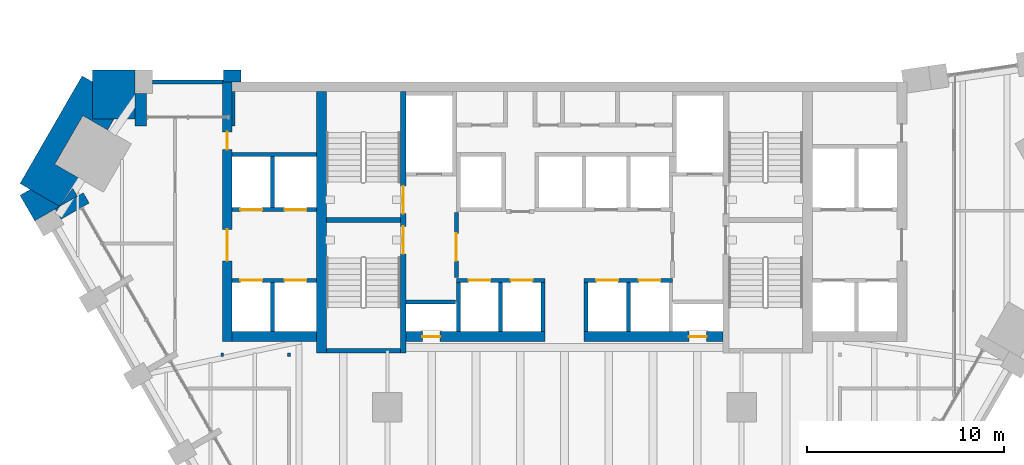
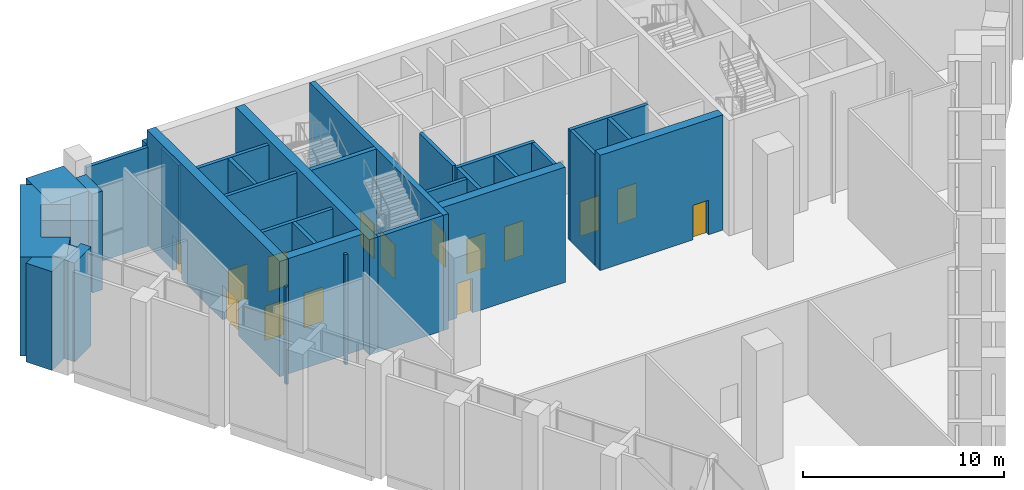
# One storey, part 12 of 17: 33 walls, 15 doors, 15 openings.
"""IFC4 building model written with IfcOpenShell, lengths in metres."""

from ifc_helpers import new_model, si_unit, direction, frame, frame_2d, origin, place, context, subcontext, project, spatial, polyline, rectangle, outline, extrude, material, layer, layer_set, type_object, element, fill, save


model = new_model("IFC4")

# Units and contexts
model_context = context("Model", 3, precision=1e-05, world=origin(), true_north=direction((0.0, 1.0)))
body_context = subcontext(model_context, "Body", "Model", "MODEL_VIEW")
ifc_project = project(units=[si_unit("LENGTHUNIT", "METRE"), si_unit("AREAUNIT", "SQUARE_METRE"), si_unit("VOLUMEUNIT", "CUBIC_METRE"), si_unit("PLANEANGLEUNIT", "RADIAN"), si_unit("MASSUNIT", "GRAM", prefix="KILO")], contexts=[model_context])

# Site, building, storey
site_placement = place(None, origin())
site = spatial("IfcSite", under=ifc_project, at=site_placement, CompositionType="ELEMENT")
building_placement = place(site_placement, origin())
building = spatial("IfcBuilding", under=site, at=building_placement, Name="Calabash Gate Tower", CompositionType="ELEMENT")
storey_placement = place(building_placement, frame((0.0, 0.0, 132.60009765625)))
storey = spatial("IfcBuildingStorey", under=building, at=storey_placement, Name="L31", CompositionType="ELEMENT", Elevation=132.60009765625)

# Walls
ifc_material_1 = material(Name="Terracotta brick masonry, exposed face", Category="masonry")
ifc_layer_1 = layer(ifc_material_1, 2.5)
ifc_layer_set_1 = layer_set([ifc_layer_1], Name="Brick corner mass wall 2500")
wall_type_1 = type_object("IfcWallType", Name="Brick corner mass wall 2500", PredefinedType="SOLIDWALL", material=ifc_layer_set_1)
wall_1_placement = place(storey_placement, origin())
element("IfcWall", 1, at=wall_1_placement, inside=storey, type_object=wall_type_1, Name="Brick corner pier L31 3a", PredefinedType="SOLIDWALL", context=body_context, shape_type="SweptSolid", body=[
    extrude(outline(polyline([(-24.00390625, 17.152587890625), (-21.846923828125, 17.152587890625), (-21.846923828125, 18.452880859375), (-21.846923828125, 18.452880859375), (-21.846923828125, 19.652587890625), (-24.00390625, 19.652587890625), (-24.00390625, 17.152587890625)])), origin(), (0.0, 0.0, 1.0), 6.0),
])
wall_2_placement = place(storey_placement, origin())
element("IfcWall", 2, at=wall_2_placement, inside=storey, type_object=wall_type_1, Name="Brick corner pier L31 3b", PredefinedType="SOLIDWALL", context=body_context, shape_type="SweptSolid", body=[
    extrude(outline(polyline([(-23.22509765625, 16.601318359375), (-22.906982421875, 17.152587890625), (-24.00390625, 17.152587890625), (-24.00390625, 19.052490234375), (-24.5234375, 19.3525390625), (-27.68212890625, 13.8818359375), (-25.6640625, 12.716796875), (-24.650146484375, 14.13330078125), (-25.90966796875, 14.8603515625), (-24.484619140625, 17.32861328125), (-23.22509765625, 16.601318359375)])), origin(), (0.0, 0.0, 1.0), 6.0),
])
wall_3_placement = place(storey_placement, origin())
element("IfcWall", 3, at=wall_3_placement, inside=storey, type_object=wall_type_1, Name="Brick corner pier L31 3ca", PredefinedType="SOLIDWALL", context=body_context, shape_type="SweptSolid", body=[
    extrude(outline(polyline([(-27.162353515625, 13.581787109375), (-27.68212890625, 13.28173828125), (-26.932861328125, 11.984130859375), (-25.6640625, 12.716796875), (-27.162353515625, 13.581787109375)])), origin(), (0.0, 0.0, 1.0), 6.0),
])
wall_4_placement = place(storey_placement, origin())
element("IfcWall", 4, at=wall_4_placement, inside=storey, type_object=wall_type_1, Name="Brick corner pier L31 3cb", PredefinedType="SOLIDWALL", context=body_context, shape_type="SweptSolid", body=[
    extrude(outline(polyline([(-24.767822265625, 13.234130859375), (-25.00244140625, 13.640869140625), (-25.6640625, 12.716796875), (-24.767822265625, 13.234130859375)])), origin(), (0.0, 0.0, 1.0), 6.0),
])
ifc_material_2 = material(Name="Terracotta brick masonry, exposed face", Category="masonry")
ifc_layer_2 = layer(ifc_material_2, 1.199951171875)
ifc_layer_set_2 = layer_set([ifc_layer_2], Name="Brick end wall 1200")
wall_type_2 = type_object("IfcWallType", Name="Brick end wall 1200", PredefinedType="SOLIDWALL", material=ifc_layer_set_2)
wall_5_placement = place(storey_placement, origin())
element("IfcWall", 5, at=wall_5_placement, inside=storey, type_object=wall_type_2, Name="Brick pier L31 N6.7", PredefinedType="SOLIDWALL", context=body_context, shape_type="SweptSolid", body=[
    extrude(outline(polyline([(-16.447021484375, 19.052490234375), (-16.447021484375, 19.652587890625), (-17.346923828125, 19.652587890625), (-17.346923828125, 19.052490234375), (-16.447021484375, 19.052490234375)])), origin(), (0.0, 0.0, 1.0), 6.0),
])
ifc_material_3 = material(Name="Terracotta brick masonry, exposed face", Category="masonry")
ifc_layer_3 = layer(ifc_material_3, 0.300048828125)
ifc_layer_set_3 = layer_set([ifc_layer_3], Name="Brick loggia cheek wall 300")
wall_type_3 = type_object("IfcWallType", Name="Brick loggia cheek wall 300", PredefinedType="SOLIDWALL", material=ifc_layer_set_3)
wall_6_placement = place(storey_placement, frame((-25.74365234375, 12.32421875, 0.0), z_axis=(0.0, 0.0, 1.0), x_axis=(0.865976140824, 0.500085316245, 0.0)))
element("IfcWall", 6, at=wall_6_placement, inside=storey, type_object=wall_type_3, Name="Loggia cheek L31 SW0.0", PredefinedType="SOLIDWALL", context=body_context, shape_type="SweptSolid", body=[
    extrude(rectangle(XDim=1.650146484375, YDim=0.60009765625, at=frame_2d((0.8251953125, 0.0))), origin(), (0.0, 0.0, 1.0), 6.0),
])
wall_7_placement = place(storey_placement, origin())
element("IfcWall", 7, at=wall_7_placement, inside=storey, type_object=wall_type_3, Name="Loggia cheek L31 N6.7", PredefinedType="SOLIDWALL", context=body_context, shape_type="SweptSolid", body=[
    extrude(outline(polyline([(-16.89990234375, 18.5546875), (-16.746826171875, 18.5546875), (-16.746826171875, 16.802490234375), (-16.89990234375, 16.802490234375), (-16.89990234375, 18.5546875)])), origin(), (0.0, 0.0, 1.0), 6.0),
])
wall_8_placement = place(storey_placement, origin())
element("IfcWall", 8, at=wall_8_placement, inside=storey, type_object=wall_type_3, Name="Loggia cheek L31 N6.8", PredefinedType="SOLIDWALL", context=body_context, shape_type="SweptSolid", body=[
    extrude(outline(polyline([(-21.846923828125, 18.45263671875), (-21.846923828125, 16.802490234375), (-21.246826171875, 16.802490234375), (-21.246826171875, 18.45263671875), (-21.846923828125, 18.45263671875)])), origin(), (0.0, 0.0, 1.0), 6.0),
])
ifc_material_4 = material(Name="Concrete C80/95", Category="concrete")
ifc_layer_4 = layer(ifc_material_4, 0.25)
ifc_layer_set_4 = layer_set([ifc_layer_4], Name="Core wall 250 Concrete C80/95")
wall_type_4 = type_object("IfcWallType", Name="Core wall 250 Concrete C80/95", PredefinedType="SHEAR", material=ifc_layer_set_4)
for number, where, z_axis, x_axis, name in (
    (9, (-12.10009765625, 12.027587890625, 0.0), (0.0, 0.0, 1.0), (1.0, 0.0, 0.0), "Core wall Z2-MIDW L31"),
    (10, (-12.10009765625, 5.377685546875, 0.0), (0.0, 0.0, 1.0), (1.0, 0.0, 0.0), "Core wall Z2-SSW L31"),
):
    element("IfcWall", number, at=place(storey_placement, frame(where, z_axis=z_axis, x_axis=x_axis)), inside=storey, type_object=wall_type_4, Name=name, PredefinedType="SHEAR", context=body_context, shape_type="SweptSolid", body=[
        extrude(rectangle(XDim=3.75, YDim=0.25, at=frame_2d((1.875, 0.0))), origin(), (0.0, 0.0, 1.0), 7.0),
    ])

# Wall, openings, doors
ifc_material_5 = material(Name="Concrete C80/95", Category="concrete")
ifc_layer_5 = layer(ifc_material_5, 0.300048828125)
ifc_layer_set_5 = layer_set([ifc_layer_5], Name="Core wall 300 Concrete C80/95")
wall_type_5 = type_object("IfcWallType", Name="Core wall 300 Concrete C80/95", PredefinedType="SHEAR", material=ifc_layer_set_5)
wall_9_placement = place(storey_placement, frame((-8.199951171875, 5.252685546875, 0.0), z_axis=(0.0, 0.0, 1.0), x_axis=(0.0, 1.0, 0.0)))
wall_9 = element("IfcWall", 11, at=wall_9_placement, inside=storey, type_object=wall_type_5, Name="Core wall Z2-PARTW L31", PredefinedType="SHEAR", context=body_context, shape_type="SweptSolid", body=[
    extrude(rectangle(XDim=13.2998046875, YDim=0.300048828125, at=frame_2d((6.64990234375, 0.0))), origin(), (0.0, 0.0, 1.0), 7.0),
])
opening_1_placement = place(wall_9_placement, frame((7.10009765625, 0.0, 0.0)))
opening_1 = element("IfcOpeningElement", 12, at=opening_1_placement, cuts=wall_9, Name="Opening L31-001", PredefinedType="OPENING", context=body_context, shape_type="SweptSolid", body=[
    extrude(rectangle(XDim=1.39990234375, YDim=2.10009765625, at=frame_2d((0.699951171875, 1.050048828125))), frame((0.0, 0.159912109375, 0.0), z_axis=(0.0, -1.0, 0.0), x_axis=(1.0, 0.0, 0.0)), (0.0, 0.0, 1.0), 0.320068359375),
])
opening_2_placement = place(wall_9_placement, frame((5.050048828125, 0.0, 0.0)))
opening_2 = element("IfcOpeningElement", 13, at=opening_2_placement, cuts=wall_9, Name="Opening L31-002", PredefinedType="OPENING", context=body_context, shape_type="SweptSolid", body=[
    extrude(rectangle(XDim=1.39990234375, YDim=2.10009765625, at=frame_2d((0.699951171875, 1.050048828125))), frame((0.0, 0.159912109375, 0.0), z_axis=(0.0, -1.0, 0.0), x_axis=(1.0, 0.0, 0.0)), (0.0, 0.0, 1.0), 0.320068359375),
])
ifc_material_6 = material(Name="Steel fire door set with fire-resisting glazing", Category="steel")
door_type_1 = type_object("IfcDoorType", Name="Fire door D05 1400x2100 FD90", OperationType="NOTDEFINED", PredefinedType="DOOR", material=ifc_material_6)
door_1_placement = place(opening_1_placement, origin())
door_1 = element("IfcDoor", 14, at=door_1_placement, inside=storey, type_object=door_type_1, Name="Exit stair door ST1", OperationType="SINGLE_SWING_LEFT", OverallHeight=2.10009765625, OverallWidth=1.39990234375, PredefinedType="DOOR", context=body_context, shape_type="SweptSolid", body=[
    extrude(rectangle(XDim=1.39990234375, YDim=2.10009765625, at=frame_2d((0.699951171875, 1.050048828125))), frame((0.0, 0.02490234375, 0.0), z_axis=(0.0, -1.0, 0.0), x_axis=(1.0, 0.0, 0.0)), (0.0, 0.0, 1.0), 0.050048828125),
])
fill(opening_1, door_1)
door_2_placement = place(opening_2_placement, origin())
door_2 = element("IfcDoor", 15, at=door_2_placement, inside=storey, type_object=door_type_1, Name="Exit stair door ST2", OperationType="SINGLE_SWING_LEFT", OverallHeight=2.10009765625, OverallWidth=1.39990234375, PredefinedType="DOOR", context=body_context, shape_type="SweptSolid", body=[
    extrude(rectangle(XDim=1.39990234375, YDim=2.10009765625, at=frame_2d((0.699951171875, 1.050048828125))), frame((0.0, 0.02490234375, 0.0), z_axis=(0.0, -1.0, 0.0), x_axis=(1.0, 0.0, 0.0)), (0.0, 0.0, 1.0), 0.050048828125),
])
fill(opening_2, door_2)

# Wall
ifc_material_7 = material(Name="Concrete C80/95", Category="concrete")
ifc_layer_6 = layer(ifc_material_7, 0.5)
ifc_layer_set_6 = layer_set([ifc_layer_6], Name="Core wall 500 Concrete C80/95")
wall_type_6 = type_object("IfcWallType", Name="Core wall 500 Concrete C80/95", PredefinedType="SHEAR", material=ifc_layer_set_6)
wall_10_placement = place(storey_placement, frame((-12.35009765625, 5.252685546875, 0.0), z_axis=(0.0, 0.0, 1.0), x_axis=(0.0, 1.0, 0.0)))
element("IfcWall", 16, at=wall_10_placement, inside=storey, type_object=wall_type_6, Name="Core wall Z2-COLW L31", PredefinedType="SHEAR", context=body_context, shape_type="SweptSolid", body=[
    extrude(rectangle(XDim=13.2998046875, YDim=0.5, at=frame_2d((6.64990234375, 0.0))), origin(), (0.0, 0.0, 1.0), 7.0),
])

# Wall, opening, door
wall_11_placement = place(storey_placement, frame((-8.050048828125, 6.1025390625, 0.0), z_axis=(0.0, 0.0, 1.0), x_axis=(1.0, 0.0, 0.0)))
wall_11 = element("IfcWall", 17, at=wall_11_placement, inside=storey, type_object=wall_type_6, Name="Core wall Z2-SA L31", PredefinedType="SHEAR", context=body_context, shape_type="SweptSolid", body=[
    extrude(rectangle(XDim=7.050048828125, YDim=0.5, at=frame_2d((3.52490234375, 0.0))), origin(), (0.0, 0.0, 1.0), 7.0),
])
opening_3_placement = place(wall_11_placement, frame((0.824951171875, 0.0, 0.0)))
opening_3 = element("IfcOpeningElement", 18, at=opening_3_placement, cuts=wall_11, Name="Opening L31-012", PredefinedType="OPENING", context=body_context, shape_type="SweptSolid", body=[
    extrude(rectangle(XDim=0.89990234375, YDim=2.10009765625, at=frame_2d((0.449951171875, 1.050048828125))), frame((0.0, 0.260009765625, 0.0), z_axis=(0.0, -1.0, 0.0), x_axis=(1.0, 0.0, 0.0)), (0.0, 0.0, 1.0), 0.52001953125),
])
ifc_material_8 = material(Name="Steel fire door set with fire-resisting glazing", Category="steel")
door_type_2 = type_object("IfcDoorType", Name="Fire door D07 900x2100 FD90", OperationType="NOTDEFINED", PredefinedType="DOOR", material=ifc_material_8)
door_3_placement = place(opening_3_placement, origin())
door_3 = element("IfcDoor", 19, at=door_3_placement, inside=storey, type_object=door_type_2, Name="Electrical Riser W door", OperationType="SINGLE_SWING_LEFT", OverallHeight=2.10009765625, OverallWidth=0.89990234375, PredefinedType="DOOR", context=body_context, shape_type="SweptSolid", body=[
    extrude(rectangle(XDim=0.89990234375, YDim=2.10009765625, at=frame_2d((0.449951171875, 1.050048828125))), frame((0.0, 0.02490234375, 0.0), z_axis=(0.0, -1.0, 0.0), x_axis=(1.0, 0.0, 0.0)), (0.0, 0.0, 1.0), 0.050048828125),
])
fill(opening_3, door_3)

wall_12_placement = place(storey_placement, frame((1.0, 6.1025390625, 0.0), z_axis=(0.0, 0.0, 1.0), x_axis=(1.0, 0.0, 0.0)))
wall_12 = element("IfcWall", 20, at=wall_12_placement, inside=storey, type_object=wall_type_6, Name="Core wall Z2-SB L31", PredefinedType="SHEAR", context=body_context, shape_type="SweptSolid", body=[
    extrude(rectangle(XDim=7.050048828125, YDim=0.5, at=frame_2d((3.52490234375, 0.0))), origin(), (0.0, 0.0, 1.0), 7.0),
])
opening_4_placement = place(wall_12_placement, frame((5.324951171875, 0.0, 0.0)))
opening_4 = element("IfcOpeningElement", 21, at=opening_4_placement, cuts=wall_12, Name="Opening L31-013", PredefinedType="OPENING", context=body_context, shape_type="SweptSolid", body=[
    extrude(rectangle(XDim=0.89990234375, YDim=2.10009765625, at=frame_2d((0.449951171875, 1.050048828125))), frame((0.0, 0.260009765625, 0.0), z_axis=(0.0, -1.0, 0.0), x_axis=(1.0, 0.0, 0.0)), (0.0, 0.0, 1.0), 0.52001953125),
])
door_4_placement = place(opening_4_placement, origin())
door_4 = element("IfcDoor", 22, at=door_4_placement, inside=storey, type_object=door_type_2, Name="Mechanical Riser E door", OperationType="SINGLE_SWING_RIGHT", OverallHeight=2.10009765625, OverallWidth=0.89990234375, PredefinedType="DOOR", context=body_context, shape_type="SweptSolid", body=[
    extrude(rectangle(XDim=0.89990234375, YDim=2.10009765625, at=frame_2d((0.449951171875, 1.050048828125))), frame((0.0, 0.02490234375, 0.0), z_axis=(0.0, -1.0, 0.0), x_axis=(1.0, 0.0, 0.0)), (0.0, 0.0, 1.0), 0.050048828125),
])
fill(opening_4, door_4)

# Wall
wall_13_placement = place(storey_placement, frame((-12.60009765625, 6.1025390625, 0.0), z_axis=(0.0, 0.0, 1.0), x_axis=(-1.0, 0.0, 0.0)))
element("IfcWall", 23, at=wall_13_placement, inside=storey, type_object=wall_type_6, Name="Core wall Z2-SW L31", PredefinedType="SHEAR", context=body_context, shape_type="SweptSolid", body=[
    extrude(rectangle(XDim=4.2998046875, YDim=0.5, at=frame_2d((2.14990234375, 0.0))), origin(), (0.0, 0.0, 1.0), 7.0),
])

# Wall, openings, doors
wall_14_placement = place(storey_placement, frame((-17.14990234375, 5.8525390625, 0.0), z_axis=(0.0, 0.0, 1.0), x_axis=(0.0, 1.0, 0.0)))
wall_14 = element("IfcWall", 24, at=wall_14_placement, inside=storey, type_object=wall_type_6, Name="Core wall Z2-ENDW L31", PredefinedType="SHEAR", context=body_context, shape_type="SweptSolid", body=[
    extrude(rectangle(XDim=13.199951171875, YDim=0.5, at=frame_2d((6.60009765625, 0.0))), origin(), (0.0, 0.0, 1.0), 7.0),
])
opening_5_placement = place(wall_14_placement, frame((4.10009765625, 0.0, 0.0)))
opening_5 = element("IfcOpeningElement", 25, at=opening_5_placement, cuts=wall_14, Name="Opening L31-014", PredefinedType="OPENING", context=body_context, shape_type="SweptSolid", body=[
    extrude(rectangle(XDim=1.60009765625, YDim=2.10009765625, at=frame_2d((0.800048828125, 1.050048828125))), frame((0.0, 0.260009765625, 0.0), z_axis=(0.0, -1.0, 0.0), x_axis=(1.0, 0.0, 0.0)), (0.0, 0.0, 1.0), 0.52001953125),
])
opening_6_placement = place(wall_14_placement, frame((9.75, 0.0, 0.0)))
opening_6 = element("IfcOpeningElement", 26, at=opening_6_placement, cuts=wall_14, Name="Opening L31-015", PredefinedType="OPENING", context=body_context, shape_type="SweptSolid", body=[
    extrude(rectangle(XDim=0.89990234375, YDim=2.10009765625, at=frame_2d((0.449951171875, 1.050048828125))), frame((0.0, 0.260009765625, 0.0), z_axis=(0.0, -1.0, 0.0), x_axis=(1.0, 0.0, 0.0)), (0.0, 0.0, 1.0), 0.52001953125),
])
ifc_material_9 = material(Name="Steel fire door set with fire-resisting glazing", Category="steel")
door_type_3 = type_object("IfcDoorType", Name="Double fire door D08 1600x2100 FD60", OperationType="DOUBLE_DOOR_SINGLE_SWING", PredefinedType="DOOR", material=ifc_material_9)
door_5_placement = place(opening_5_placement, origin())
door_5 = element("IfcDoor", 27, at=door_5_placement, inside=storey, type_object=door_type_3, Name="Low-rise Lift Lobby W door", OperationType="DOUBLE_DOOR_SINGLE_SWING", OverallHeight=2.10009765625, OverallWidth=1.60009765625, PredefinedType="DOOR", context=body_context, shape_type="SweptSolid", body=[
    extrude(rectangle(XDim=1.60009765625, YDim=2.10009765625, at=frame_2d((0.800048828125, 1.050048828125))), frame((0.0, 0.02490234375, 0.0), z_axis=(0.0, -1.0, 0.0), x_axis=(1.0, 0.0, 0.0)), (0.0, 0.0, 1.0), 0.050048828125),
])
fill(opening_5, door_5)
ifc_material_10 = material(Name="Steel fire door set with fire-resisting glazing", Category="steel")
door_type_4 = type_object("IfcDoorType", Name="Fire door D06 900x2100 FD60", OperationType="NOTDEFINED", PredefinedType="DOOR", material=ifc_material_10)
door_6_placement = place(opening_6_placement, origin())
door_6 = element("IfcDoor", 28, at=door_6_placement, inside=storey, type_object=door_type_4, Name="Meter Room door", OperationType="SINGLE_SWING_RIGHT", OverallHeight=2.10009765625, OverallWidth=0.89990234375, PredefinedType="DOOR", context=body_context, shape_type="SweptSolid", body=[
    extrude(rectangle(XDim=0.89990234375, YDim=2.10009765625, at=frame_2d((0.449951171875, 1.050048828125))), frame((0.0, 0.02490234375, 0.0), z_axis=(0.0, -1.0, 0.0), x_axis=(1.0, 0.0, 0.0)), (0.0, 0.0, 1.0), 0.050048828125),
])
fill(opening_6, door_6)

# Walls
ifc_material_11 = material(Name="Gypsum board on steel studs, mineral wool", Category="steel")
ifc_layer_7 = layer(ifc_material_11, 0.14990234375)
ifc_layer_set_7 = layer_set([ifc_layer_7], Name="Partition 150 gypsum board")
wall_type_7 = type_object("IfcWallType", Name="Partition 150 gypsum board", PredefinedType="PARTITIONING", material=ifc_layer_set_7)
wall_15_placement = place(storey_placement, frame((-17.39990234375, 5.09765625, 0.0), z_axis=(0.0, 0.0, 1.0), x_axis=(0.0, 1.0, 0.0)))
element("IfcWall", 29, at=wall_15_placement, inside=storey, type_object=wall_type_7, Name="Partition", PredefinedType="PARTITIONING", context=body_context, shape_type="SweptSolid", body=[
    extrude(rectangle(XDim=0.179931640625, YDim=0.14990234375, at=frame_2d((0.08984375, 0.0))), origin(), (0.0, 0.0, 1.0), 5.919921875),
])
wall_16_placement = place(storey_placement, frame((-14.0, 5.09765625, 0.0), z_axis=(0.0, 0.0, 1.0), x_axis=(0.0, 1.0, 0.0)))
element("IfcWall", 30, at=wall_16_placement, inside=storey, type_object=wall_type_7, Name="Partition", PredefinedType="PARTITIONING", context=body_context, shape_type="SweptSolid", body=[
    extrude(rectangle(XDim=0.179931640625, YDim=0.14990234375, at=frame_2d((0.08984375, 0.0))), origin(), (0.0, 0.0, 1.0), 6.699951171875),
])
ifc_material_12 = material(Name="Concrete C40/50", Category="concrete")
ifc_layer_8 = layer(ifc_material_12, 0.199951171875)
ifc_layer_set_8 = layer_set([ifc_layer_8], Name="Shaft wall 200 Concrete C40/50")
wall_type_8 = type_object("IfcWallType", Name="Shaft wall 200 Concrete C40/50", PredefinedType="SOLIDWALL", material=ifc_layer_set_8)
for number, where, z_axis, x_axis, name in (
    (31, (-14.85009765625, 6.3525390625, 0.0), (0.0, 0.0, 1.0), (0.0, 1.0, 0.0), "Shaft wall"),
    (32, (-5.39990234375, 6.3525390625, 0.0), (0.0, 0.0, 1.0), (0.0, 1.0, 0.0), "Shaft wall"),
    (33, (-3.25, 6.3525390625, 0.0), (0.0, 0.0, 1.0), (0.0, 1.0, 0.0), "Shaft wall"),
    (34, (-1.10009765625, 6.3525390625, 0.0), (0.0, 0.0, 1.0), (0.0, 1.0, 0.0), "Shaft wall"),
    (35, (1.10009765625, 6.3525390625, 0.0), (0.0, 0.0, 1.0), (0.0, 1.0, 0.0), "Shaft wall"),
    (36, (3.25, 6.3525390625, 0.0), (0.0, 0.0, 1.0), (0.0, 1.0, 0.0), "Shaft wall"),
    (37, (-8.050048828125, 7.8525390625, 0.0), (0.0, 0.0, 1.0), (1.0, 0.0, 0.0), "Shaft wall"),
):
    element("IfcWall", number, at=place(storey_placement, frame(where, z_axis=z_axis, x_axis=x_axis)), inside=storey, type_object=wall_type_8, Name=name, PredefinedType="SOLIDWALL", context=body_context, shape_type="SweptSolid", body=[
        extrude(rectangle(XDim=2.5, YDim=0.199951171875, at=frame_2d((1.25, 0.0))), origin(), (0.0, 0.0, 1.0), 6.699951171875),
    ])

# Wall, openings, doors
wall_17_placement = place(storey_placement, frame((-16.89990234375, 8.95263671875, 0.0), z_axis=(0.0, 0.0, 1.0), x_axis=(1.0, 0.0, 0.0)))
wall_17 = element("IfcWall", 38, at=wall_17_placement, inside=storey, type_object=wall_type_8, Name="Shaft wall", PredefinedType="SOLIDWALL", context=body_context, shape_type="SweptSolid", body=[
    extrude(rectangle(XDim=4.2998046875, YDim=0.199951171875, at=frame_2d((2.14990234375, 0.0))), origin(), (0.0, 0.0, 1.0), 6.699951171875),
])
opening_7_placement = place(wall_17_placement, frame((2.675048828125, 0.0, 0.0)))
opening_7 = element("IfcOpeningElement", 39, at=opening_7_placement, cuts=wall_17, Name="Opening LD-LR1", PredefinedType="OPENING", context=body_context, shape_type="SweptSolid", body=[
    extrude(rectangle(XDim=1.10009765625, YDim=2.10009765625, at=frame_2d((0.550048828125, 1.050048828125))), frame((0.0, 0.10986328125, 0.0), z_axis=(0.0, -1.0, 0.0), x_axis=(1.0, 0.0, 0.0)), (0.0, 0.0, 1.0), 0.219970703125),
])
opening_8_placement = place(wall_17_placement, frame((0.425048828125, 0.0, 0.0)))
opening_8 = element("IfcOpeningElement", 40, at=opening_8_placement, cuts=wall_17, Name="Opening LD-LR2", PredefinedType="OPENING", context=body_context, shape_type="SweptSolid", body=[
    extrude(rectangle(XDim=1.10009765625, YDim=2.10009765625, at=frame_2d((0.550048828125, 1.050048828125))), frame((0.0, 0.10986328125, 0.0), z_axis=(0.0, -1.0, 0.0), x_axis=(1.0, 0.0, 0.0)), (0.0, 0.0, 1.0), 0.219970703125),
])
ifc_material_13 = material(Name="Stainless steel sliding door leaves", Category="steel")
door_type_5 = type_object("IfcDoorType", Name="Lift landing door LS1 1100x2100 FD90", OperationType="DOUBLE_DOOR_SLIDING", PredefinedType="DOOR", material=ifc_material_13)
door_7_placement = place(opening_7_placement, origin())
door_7 = element("IfcDoor", 41, at=door_7_placement, inside=storey, type_object=door_type_5, Name="Lift landing door LR1", OperationType="DOUBLE_DOOR_SLIDING", OverallHeight=2.10009765625, OverallWidth=1.10009765625, PredefinedType="DOOR", context=body_context, shape_type="SweptSolid", body=[
    extrude(rectangle(XDim=1.10009765625, YDim=2.10009765625, at=frame_2d((0.550048828125, 1.050048828125))), frame((0.0, 0.02490234375, 0.0), z_axis=(0.0, -1.0, 0.0), x_axis=(1.0, 0.0, 0.0)), (0.0, 0.0, 1.0), 0.050048828125),
])
fill(opening_7, door_7)
door_8_placement = place(opening_8_placement, origin())
door_8 = element("IfcDoor", 42, at=door_8_placement, inside=storey, type_object=door_type_5, Name="Lift landing door LR2", OperationType="DOUBLE_DOOR_SLIDING", OverallHeight=2.10009765625, OverallWidth=1.10009765625, PredefinedType="DOOR", context=body_context, shape_type="SweptSolid", body=[
    extrude(rectangle(XDim=1.10009765625, YDim=2.10009765625, at=frame_2d((0.550048828125, 1.050048828125))), frame((0.0, 0.02490234375, 0.0), z_axis=(0.0, -1.0, 0.0), x_axis=(1.0, 0.0, 0.0)), (0.0, 0.0, 1.0), 0.050048828125),
])
fill(opening_8, door_8)

wall_18_placement = place(storey_placement, frame((-5.5, 8.95263671875, 0.0), z_axis=(0.0, 0.0, 1.0), x_axis=(1.0, 0.0, 0.0)))
wall_18 = element("IfcWall", 43, at=wall_18_placement, inside=storey, type_object=wall_type_8, Name="Shaft wall", PredefinedType="SOLIDWALL", context=body_context, shape_type="SweptSolid", body=[
    extrude(rectangle(XDim=4.5, YDim=0.199951171875, at=frame_2d((2.25, 0.0))), origin(), (0.0, 0.0, 1.0), 6.699951171875),
])
opening_9_placement = place(wall_18_placement, frame((0.625, 0.0, 0.0)))
opening_9 = element("IfcOpeningElement", 44, at=opening_9_placement, cuts=wall_18, Name="Opening LD-HR1", PredefinedType="OPENING", context=body_context, shape_type="SweptSolid", body=[
    extrude(rectangle(XDim=1.10009765625, YDim=2.10009765625, at=frame_2d((0.550048828125, 1.050048828125))), frame((0.0, 0.10986328125, 0.0), z_axis=(0.0, -1.0, 0.0), x_axis=(1.0, 0.0, 0.0)), (0.0, 0.0, 1.0), 0.219970703125),
])
opening_10_placement = place(wall_18_placement, frame((2.77490234375, 0.0, 0.0)))
opening_10 = element("IfcOpeningElement", 45, at=opening_10_placement, cuts=wall_18, Name="Opening LD-HR2", PredefinedType="OPENING", context=body_context, shape_type="SweptSolid", body=[
    extrude(rectangle(XDim=1.10009765625, YDim=2.10009765625, at=frame_2d((0.550048828125, 1.050048828125))), frame((0.0, 0.10986328125, 0.0), z_axis=(0.0, -1.0, 0.0), x_axis=(1.0, 0.0, 0.0)), (0.0, 0.0, 1.0), 0.219970703125),
])
door_9_placement = place(opening_9_placement, origin())
door_9 = element("IfcDoor", 46, at=door_9_placement, inside=storey, type_object=door_type_5, Name="Lift landing door HR1", OperationType="DOUBLE_DOOR_SLIDING", OverallHeight=2.10009765625, OverallWidth=1.10009765625, PredefinedType="DOOR", context=body_context, shape_type="SweptSolid", body=[
    extrude(rectangle(XDim=1.10009765625, YDim=2.10009765625, at=frame_2d((0.550048828125, 1.050048828125))), frame((0.0, 0.02490234375, 0.0), z_axis=(0.0, -1.0, 0.0), x_axis=(1.0, 0.0, 0.0)), (0.0, 0.0, 1.0), 0.050048828125),
])
fill(opening_9, door_9)
door_10_placement = place(opening_10_placement, origin())
door_10 = element("IfcDoor", 47, at=door_10_placement, inside=storey, type_object=door_type_5, Name="Lift landing door HR2", OperationType="DOUBLE_DOOR_SLIDING", OverallHeight=2.10009765625, OverallWidth=1.10009765625, PredefinedType="DOOR", context=body_context, shape_type="SweptSolid", body=[
    extrude(rectangle(XDim=1.10009765625, YDim=2.10009765625, at=frame_2d((0.550048828125, 1.050048828125))), frame((0.0, 0.02490234375, 0.0), z_axis=(0.0, -1.0, 0.0), x_axis=(1.0, 0.0, 0.0)), (0.0, 0.0, 1.0), 0.050048828125),
])
fill(opening_10, door_10)

wall_19_placement = place(storey_placement, frame((1.0, 8.95263671875, 0.0), z_axis=(0.0, 0.0, 1.0), x_axis=(1.0, 0.0, 0.0)))
wall_19 = element("IfcWall", 48, at=wall_19_placement, inside=storey, type_object=wall_type_8, Name="Shaft wall", PredefinedType="SOLIDWALL", context=body_context, shape_type="SweptSolid", body=[
    extrude(rectangle(XDim=4.5, YDim=0.199951171875, at=frame_2d((2.25, 0.0))), origin(), (0.0, 0.0, 1.0), 6.699951171875),
])
opening_11_placement = place(wall_19_placement, frame((0.625, 0.0, 0.0)))
opening_11 = element("IfcOpeningElement", 49, at=opening_11_placement, cuts=wall_19, Name="Opening LD-HR3", PredefinedType="OPENING", context=body_context, shape_type="SweptSolid", body=[
    extrude(rectangle(XDim=1.10009765625, YDim=2.10009765625, at=frame_2d((0.550048828125, 1.050048828125))), frame((0.0, 0.10986328125, 0.0), z_axis=(0.0, -1.0, 0.0), x_axis=(1.0, 0.0, 0.0)), (0.0, 0.0, 1.0), 0.219970703125),
])
opening_12_placement = place(wall_19_placement, frame((2.77490234375, 0.0, 0.0)))
opening_12 = element("IfcOpeningElement", 50, at=opening_12_placement, cuts=wall_19, Name="Opening LD-HR4", PredefinedType="OPENING", context=body_context, shape_type="SweptSolid", body=[
    extrude(rectangle(XDim=1.10009765625, YDim=2.10009765625, at=frame_2d((0.550048828125, 1.050048828125))), frame((0.0, 0.10986328125, 0.0), z_axis=(0.0, -1.0, 0.0), x_axis=(1.0, 0.0, 0.0)), (0.0, 0.0, 1.0), 0.219970703125),
])
door_11_placement = place(opening_11_placement, origin())
door_11 = element("IfcDoor", 51, at=door_11_placement, inside=storey, type_object=door_type_5, Name="Lift landing door HR3", OperationType="DOUBLE_DOOR_SLIDING", OverallHeight=2.10009765625, OverallWidth=1.10009765625, PredefinedType="DOOR", context=body_context, shape_type="SweptSolid", body=[
    extrude(rectangle(XDim=1.10009765625, YDim=2.10009765625, at=frame_2d((0.550048828125, 1.050048828125))), frame((0.0, 0.02490234375, 0.0), z_axis=(0.0, -1.0, 0.0), x_axis=(1.0, 0.0, 0.0)), (0.0, 0.0, 1.0), 0.050048828125),
])
fill(opening_11, door_11)
door_12_placement = place(opening_12_placement, origin())
door_12 = element("IfcDoor", 52, at=door_12_placement, inside=storey, type_object=door_type_5, Name="Lift landing door HR4", OperationType="DOUBLE_DOOR_SLIDING", OverallHeight=2.10009765625, OverallWidth=1.10009765625, PredefinedType="DOOR", context=body_context, shape_type="SweptSolid", body=[
    extrude(rectangle(XDim=1.10009765625, YDim=2.10009765625, at=frame_2d((0.550048828125, 1.050048828125))), frame((0.0, 0.02490234375, 0.0), z_axis=(0.0, -1.0, 0.0), x_axis=(1.0, 0.0, 0.0)), (0.0, 0.0, 1.0), 0.050048828125),
])
fill(opening_12, door_12)

# Wall, opening, door
wall_20_placement = place(storey_placement, frame((-5.5, 9.1025390625, 0.0), z_axis=(0.0, 0.0, 1.0), x_axis=(0.0, 1.0, 0.0)))
wall_20 = element("IfcWall", 53, at=wall_20_placement, inside=storey, type_object=wall_type_8, Name="Shaft wall", PredefinedType="SOLIDWALL", context=body_context, shape_type="SweptSolid", body=[
    extrude(rectangle(XDim=3.300048828125, YDim=0.199951171875, at=frame_2d((1.64990234375, 0.0))), origin(), (0.0, 0.0, 1.0), 6.699951171875),
])
opening_13_placement = place(wall_20_placement, frame((0.85009765625, 0.0, 0.0)))
opening_13 = element("IfcOpeningElement", 54, at=opening_13_placement, cuts=wall_20, Name="Opening L31-006", PredefinedType="OPENING", context=body_context, shape_type="SweptSolid", body=[
    extrude(rectangle(XDim=1.39990234375, YDim=2.10009765625, at=frame_2d((0.699951171875, 1.050048828125))), frame((0.0, 0.10986328125, 0.0), z_axis=(0.0, -1.0, 0.0), x_axis=(1.0, 0.0, 0.0)), (0.0, 0.0, 1.0), 0.219970703125),
])
door_13_placement = place(opening_13_placement, origin())
door_13 = element("IfcDoor", 55, at=door_13_placement, inside=storey, type_object=door_type_1, Name="Firefighting Lobby W door", OperationType="SINGLE_SWING_RIGHT", OverallHeight=2.10009765625, OverallWidth=1.39990234375, PredefinedType="DOOR", context=body_context, shape_type="SweptSolid", body=[
    extrude(rectangle(XDim=1.39990234375, YDim=2.10009765625, at=frame_2d((0.699951171875, 1.050048828125))), frame((0.0, 0.02490234375, 0.0), z_axis=(0.0, -1.0, 0.0), x_axis=(1.0, 0.0, 0.0)), (0.0, 0.0, 1.0), 0.050048828125),
])
fill(opening_13, door_13)

# Wall, openings, doors
wall_21_placement = place(storey_placement, frame((-16.89990234375, 12.552490234375, 0.0), z_axis=(0.0, 0.0, 1.0), x_axis=(1.0, 0.0, 0.0)))
wall_21 = element("IfcWall", 56, at=wall_21_placement, inside=storey, type_object=wall_type_8, Name="Shaft wall", PredefinedType="SOLIDWALL", context=body_context, shape_type="SweptSolid", body=[
    extrude(rectangle(XDim=4.2998046875, YDim=0.199951171875, at=frame_2d((2.14990234375, 0.0))), origin(), (0.0, 0.0, 1.0), 6.699951171875),
])
opening_14_placement = place(wall_21_placement, frame((2.675048828125, 0.0, 0.0)))
opening_14 = element("IfcOpeningElement", 57, at=opening_14_placement, cuts=wall_21, Name="Opening LD-LR3", PredefinedType="OPENING", context=body_context, shape_type="SweptSolid", body=[
    extrude(rectangle(XDim=1.10009765625, YDim=2.10009765625, at=frame_2d((0.550048828125, 1.050048828125))), frame((0.0, 0.10986328125, 0.0), z_axis=(0.0, -1.0, 0.0), x_axis=(1.0, 0.0, 0.0)), (0.0, 0.0, 1.0), 0.219970703125),
])
opening_15_placement = place(wall_21_placement, frame((0.425048828125, 0.0, 0.0)))
opening_15 = element("IfcOpeningElement", 58, at=opening_15_placement, cuts=wall_21, Name="Opening LD-LR4", PredefinedType="OPENING", context=body_context, shape_type="SweptSolid", body=[
    extrude(rectangle(XDim=1.10009765625, YDim=2.10009765625, at=frame_2d((0.550048828125, 1.050048828125))), frame((0.0, 0.10986328125, 0.0), z_axis=(0.0, -1.0, 0.0), x_axis=(1.0, 0.0, 0.0)), (0.0, 0.0, 1.0), 0.219970703125),
])
door_14_placement = place(opening_14_placement, origin())
door_14 = element("IfcDoor", 59, at=door_14_placement, inside=storey, type_object=door_type_5, Name="Lift landing door LR3", OperationType="DOUBLE_DOOR_SLIDING", OverallHeight=2.10009765625, OverallWidth=1.10009765625, PredefinedType="DOOR", context=body_context, shape_type="SweptSolid", body=[
    extrude(rectangle(XDim=1.10009765625, YDim=2.10009765625, at=frame_2d((0.550048828125, 1.050048828125))), frame((0.0, 0.02490234375, 0.0), z_axis=(0.0, -1.0, 0.0), x_axis=(1.0, 0.0, 0.0)), (0.0, 0.0, 1.0), 0.050048828125),
])
fill(opening_14, door_14)
door_15_placement = place(opening_15_placement, origin())
door_15 = element("IfcDoor", 60, at=door_15_placement, inside=storey, type_object=door_type_5, Name="Lift landing door LR4", OperationType="DOUBLE_DOOR_SLIDING", OverallHeight=2.10009765625, OverallWidth=1.10009765625, PredefinedType="DOOR", context=body_context, shape_type="SweptSolid", body=[
    extrude(rectangle(XDim=1.10009765625, YDim=2.10009765625, at=frame_2d((0.550048828125, 1.050048828125))), frame((0.0, 0.02490234375, 0.0), z_axis=(0.0, -1.0, 0.0), x_axis=(1.0, 0.0, 0.0)), (0.0, 0.0, 1.0), 0.050048828125),
])
fill(opening_15, door_15)

# Walls
wall_22_placement = place(storey_placement, frame((-14.85009765625, 12.652587890625, 0.0), z_axis=(0.0, 0.0, 1.0), x_axis=(0.0, 1.0, 0.0)))
element("IfcWall", 61, at=wall_22_placement, inside=storey, type_object=wall_type_8, Name="Shaft wall", PredefinedType="SOLIDWALL", context=body_context, shape_type="SweptSolid", body=[
    extrude(rectangle(XDim=2.60009765625, YDim=0.199951171875, at=frame_2d((1.300048828125, 0.0))), origin(), (0.0, 0.0, 1.0), 6.699951171875),
])
wall_23_placement = place(storey_placement, frame((-16.89990234375, 15.3525390625, 0.0), z_axis=(0.0, 0.0, 1.0), x_axis=(1.0, 0.0, 0.0)))
element("IfcWall", 62, at=wall_23_placement, inside=storey, type_object=wall_type_8, Name="Shaft wall", PredefinedType="SOLIDWALL", context=body_context, shape_type="SweptSolid", body=[
    extrude(rectangle(XDim=4.2998046875, YDim=0.199951171875, at=frame_2d((2.14990234375, 0.0))), origin(), (0.0, 0.0, 1.0), 6.699951171875),
])
ifc_material_14 = material(Name="Terracotta brick masonry, perforated", Category="masonry")
ifc_layer_9 = layer(ifc_material_14, 0.199951171875)
ifc_layer_set_9 = layer_set([ifc_layer_9], Name="Terracotta jaali screen A")
wall_type_9 = type_object("IfcWallType", Name="Terracotta jaali screen A", PredefinedType="SOLIDWALL", material=ifc_layer_set_9)
wall_24_placement = place(storey_placement, origin())
element("IfcWall", 63, at=wall_24_placement, inside=storey, type_object=wall_type_9, Name="SCREEN A L31 N6.8", PredefinedType="SOLIDWALL", context=body_context, shape_type="SweptSolid", body=[
    extrude(outline(polyline([(-20.947021484375, 19.152587890625), (-20.947021484375, 18.95263671875), (-17.39990234375, 18.95263671875), (-17.39990234375, 19.052490234375), (-17.346923828125, 19.052490234375), (-17.346923828125, 19.152587890625), (-20.947021484375, 19.152587890625)])), origin(), (0.0, 0.0, 1.0), 6.0),
])

save(model, "model.ifc")
